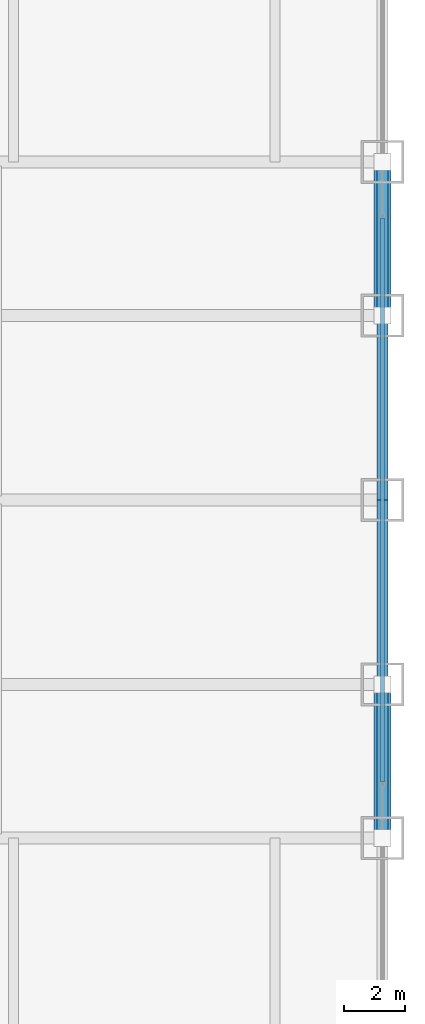
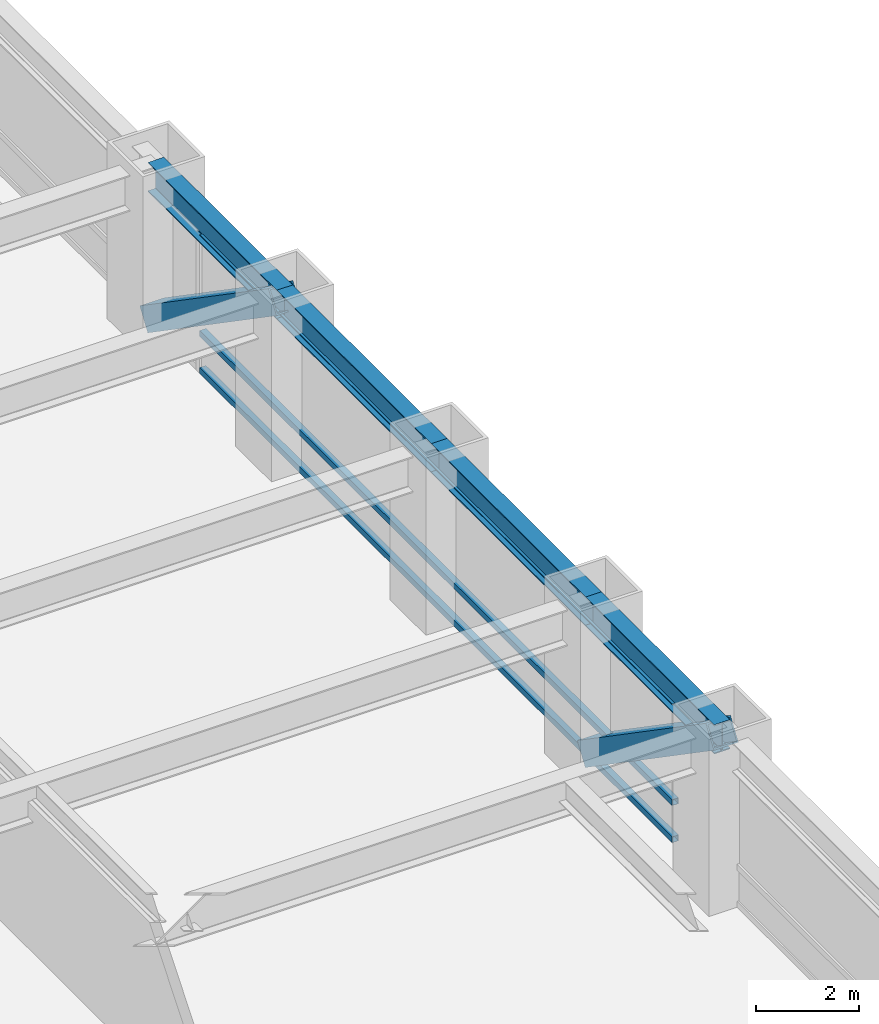
# One storey, part 17 of 27: 5 members, 4 beams, 1 element without a shape of its own.
"""IFC4 building model written with IfcOpenShell, lengths in metres."""

from ifc_helpers import new_model, si_unit, direction, frame, origin, origin_2d, place, context, subcontext, project, spatial, hollow_rectangle, i_section, extrude, source, transform, mapped, material, material_profile, profile_set, type_object, element, aggregate, save


model = new_model("IFC4")

# Units and contexts
model_context = context("Model", 3, precision=1e-05, world=origin(), true_north=direction((0.0, 1.0)))
body_context = subcontext(model_context, "Body", "Model", "MODEL_VIEW")
ifc_project = project(units=[si_unit("LENGTHUNIT", "METRE"), si_unit("AREAUNIT", "SQUARE_METRE"), si_unit("VOLUMEUNIT", "CUBIC_METRE"), si_unit("PLANEANGLEUNIT", "RADIAN"), si_unit("MASSUNIT", "GRAM", prefix="KILO")], contexts=[model_context])

# Site, building, storey
site_placement = place(None, origin())
site = spatial("IfcSite", under=ifc_project, at=site_placement, CompositionType="ELEMENT")
building_placement = place(site_placement, origin())
building = spatial("IfcBuilding", under=site, at=building_placement, Name="Khorayat Bourse Tower", CompositionType="ELEMENT")
storey_placement = place(building_placement, frame((0.0, 0.0, 49.39990234375)))
storey = spatial("IfcBuildingStorey", under=building, at=storey_placement, Name="L10", CompositionType="ELEMENT", Elevation=49.39990234375)

# Beams
ifc_material_1 = material(Name="Steel ASTM A992 Grade 50", Category="steel")
ifc_material_profile_1 = material_profile(ifc_material_1, i_section(OverallWidth=0.35498046875, OverallDepth=0.695068359375, WebThickness=0.015380859375, FlangeThickness=0.02490234375, FilletRadius=0.01806640625, at=origin_2d()), Name="W690X217")
ifc_profile_set_1 = profile_set([ifc_material_profile_1], Name="Steel ASTM A992 Grade 50")
beam_type = type_object("IfcBeamType", Name="BM-SPAN-690", PredefinedType="SPANDREL", material=ifc_profile_set_1)
shared_shape_1 = source(origin(), body_context, "Body", "SweptSolid", [
    extrude(i_section(OverallWidth=0.35498046875, OverallDepth=0.695068359375, WebThickness=0.015380859375, FlangeThickness=0.02490234375, FilletRadius=0.01806640625, at=origin_2d()), origin(), (0.0, 0.0, 1.0), 5.0),
])
for number, where, z_axis, x_axis, name in (
    (1, (32.0, -11.0, 3.592529296875), (0.0, 1.0, 0.0), (-1.0, 0.0, 0.0), "L10 BM-SPAN-690 BM-L10-SPN-036"),
    (2, (32.0, 6.0, 3.592529296875), (0.0, 1.0, 0.0), (-1.0, 0.0, 0.0), "L10 BM-SPAN-690 BM-L10-SPN-039"),
):
    element("IfcBeam", number, at=place(storey_placement, frame(where, z_axis=z_axis, x_axis=x_axis)), inside=storey, type_object=beam_type, Name=name, PredefinedType="SPANDREL", context=body_context, shape_type="MappedRepresentation", body=[
        mapped(shared_shape_1, transform((0.0, 0.0, 0.0), scale=1.0)),
    ])
shared_shape_2 = source(origin(), body_context, "Body", "SweptSolid", [
    extrude(i_section(OverallWidth=0.35498046875, OverallDepth=0.695068359375, WebThickness=0.015380859375, FlangeThickness=0.02490234375, FilletRadius=0.01806640625, at=origin_2d()), origin(), (0.0, 0.0, 1.0), 6.0),
])
for number, where, z_axis, x_axis, name in (
    (3, (32.0, -6.0, 3.592529296875), (0.0, 1.0, 0.0), (-1.0, 0.0, 0.0), "L10 BM-SPAN-690 BM-L10-SPN-037"),
    (4, (32.0, 0.0, 3.592529296875), (0.0, 1.0, 0.0), (-1.0, 0.0, 0.0), "L10 BM-SPAN-690 BM-L10-SPN-038"),
):
    element("IfcBeam", number, at=place(storey_placement, frame(where, z_axis=z_axis, x_axis=x_axis)), inside=storey, type_object=beam_type, Name=name, PredefinedType="SPANDREL", context=body_context, shape_type="MappedRepresentation", body=[
        mapped(shared_shape_2, transform((0.0, 0.0, 0.0), scale=1.0)),
    ])

# Members
ifc_material_2 = material(Name="Steel EN 10025-4 S460M", Category="steel")
ifc_material_profile_2 = material_profile(ifc_material_2, hollow_rectangle(XDim=0.550048828125, YDim=0.550048828125, WallThickness=0.031982421875, at=origin_2d()), Name="HSS 550x550x32")
ifc_profile_set_2 = profile_set([ifc_material_profile_2], Name="Steel EN 10025-4 S460M")
member_type_1 = type_object("IfcMemberType", Name="MBR-TUBE-550", PredefinedType="BRACE", material=ifc_profile_set_2)
shared_shape_3 = source(origin(), body_context, "Body", "SweptSolid", [
    extrude(hollow_rectangle(XDim=0.550048828125, YDim=0.550048828125, WallThickness=0.031982421875, at=origin_2d()), origin(), (0.0, 0.0, 1.0), 6.069091796875),
])
for number, where, z_axis, x_axis, name in (
    (5, (32.0, -11.0, 3.690185546875), (0.0, 0.823835295996, -0.566829255659), (-1.0, 0.0, 0.0), "L10 Perimeter Tube Brace 07"),
    (6, (32.0, 6.0, 3.690185546875), (0.0, 0.823835295996, -0.566829255659), (-1.0, 0.0, 0.0), "L10 Perimeter Tube Brace 08"),
):
    element("IfcMember", number, at=place(storey_placement, frame(where, z_axis=z_axis, x_axis=x_axis)), inside=storey, type_object=member_type_1, Name=name, PredefinedType="BRACE", context=body_context, shape_type="MappedRepresentation", body=[
        mapped(shared_shape_3, transform((0.0, 0.0, 0.0), scale=1.0)),
    ])

# Curtain wall, members
ifc_material_3 = material(Name="Aluminium EN AW-6063 T6", Category="aluminium")
curtain_wall_type = type_object("IfcCurtainWallType", Name="CW-SYS-02", PredefinedType="NOTDEFINED", material=ifc_material_3)
curtain_wall_placement = place(storey_placement, origin())
curtain_wall = element("IfcCurtainWall", 7, at=curtain_wall_placement, inside=storey, type_object=curtain_wall_type, Name="L10 Curtain Wall CW-L10-E1", PredefinedType="NOTDEFINED")
ifc_material_profile_3 = material_profile(ifc_material_3, hollow_rectangle(XDim=0.139892578125, YDim=0.139892578125, WallThickness=0.006103515625, at=origin_2d()), Name="ALU 140x140x6")
ifc_profile_set_3 = profile_set([ifc_material_profile_3], Name="Aluminium EN AW-6063 T6")
member_type_2 = type_object("IfcMemberType", Name="CWT-HORZ-140", PredefinedType="USERDEFINED", material=ifc_profile_set_3)
shared_shape_4 = source(origin(), body_context, "Body", "SweptSolid", [
    extrude(hollow_rectangle(XDim=0.139892578125, YDim=0.139892578125, WallThickness=0.006103515625, at=origin_2d()), origin(), (0.0, 0.0, 1.0), 18.35986328125),
])
member_1_placement = place(storey_placement, frame((32.0, -9.179931640625, 0.070068359375), z_axis=(0.0, 1.0, 0.0), x_axis=(-1.0, 0.0, 0.0)))
member_1 = element("IfcMember", 8, at=member_1_placement, type_object=member_type_2, Name="CW-L10-E1 Horizontal Transom 2-1", ObjectType="TRANSOM", PredefinedType="USERDEFINED", context=body_context, shape_type="MappedRepresentation", body=[
    mapped(shared_shape_4, transform((0.0, 0.0, 0.0), scale=1.0)),
])
member_2_placement = place(storey_placement, frame((32.0, -9.179931640625, 0.9501953125), z_axis=(0.0, 1.0, 0.0), x_axis=(-1.0, 0.0, 0.0)))
member_2 = element("IfcMember", 9, at=member_2_placement, type_object=member_type_2, Name="CW-L10-E1 Horizontal Transom 2-2", ObjectType="TRANSOM", PredefinedType="USERDEFINED", context=body_context, shape_type="MappedRepresentation", body=[
    mapped(shared_shape_4, transform((0.0, 0.0, 0.0), scale=1.0)),
])
member_3_placement = place(storey_placement, frame((32.0, -9.179931640625, 3.22021484375), z_axis=(0.0, 1.0, 0.0), x_axis=(-1.0, 0.0, 0.0)))
member_3 = element("IfcMember", 10, at=member_3_placement, type_object=member_type_2, Name="CW-L10-E1 Horizontal Transom 2-3", ObjectType="TRANSOM", PredefinedType="USERDEFINED", context=body_context, shape_type="MappedRepresentation", body=[
    mapped(shared_shape_4, transform((0.0, 0.0, 0.0), scale=1.0)),
])
aggregate(curtain_wall, [member_1, member_2, member_3])

save(model, "model.ifc")
